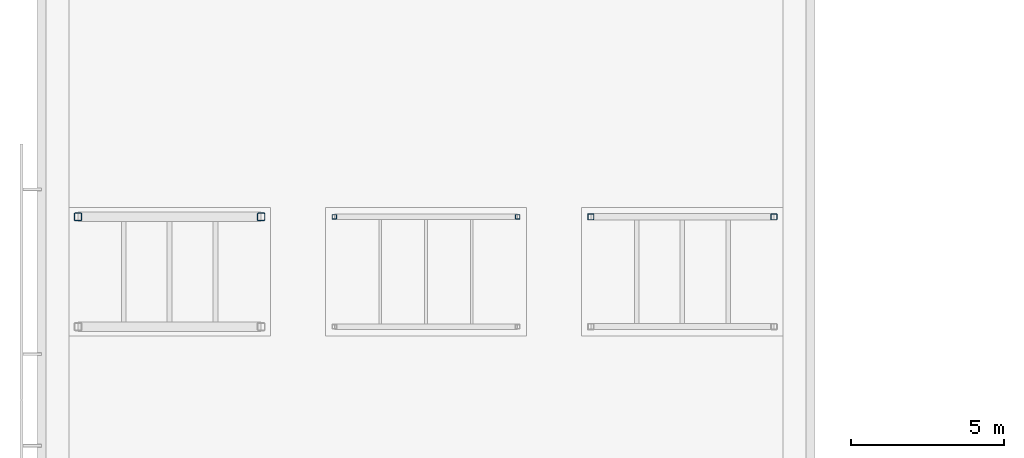
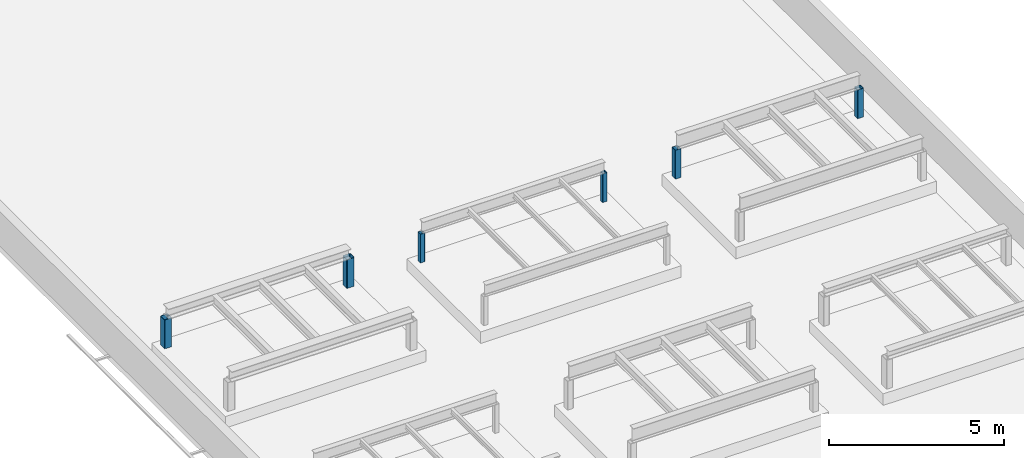
# One storey, part 4 of 18: 6 columns.
"""IFC4 building model written with IfcOpenShell, lengths in metres."""

from ifc_helpers import new_model, si_unit, direction, frame, origin, origin_2d, place, context, subcontext, project, spatial, hollow_rectangle, extrude, material, material_profile, profile_set, type_object, element, save


model = new_model("IFC4")

# Units and contexts
model_context = context("Model", 3, precision=1e-05, world=origin(), true_north=direction((0.0, 1.0)))
body_context = subcontext(model_context, "Body", "Model", "MODEL_VIEW")
ifc_project = project(units=[si_unit("LENGTHUNIT", "METRE"), si_unit("AREAUNIT", "SQUARE_METRE"), si_unit("VOLUMEUNIT", "CUBIC_METRE"), si_unit("PLANEANGLEUNIT", "RADIAN"), si_unit("MASSUNIT", "GRAM", prefix="KILO")], contexts=[model_context])

# Site, building, storey
site_placement = place(None, origin())
site = spatial("IfcSite", under=ifc_project, at=site_placement, CompositionType="ELEMENT")
building_placement = place(site_placement, origin())
building = spatial("IfcBuilding", under=site, at=building_placement, Name="Yavir Park General Hospital", CompositionType="ELEMENT")
storey_placement = place(building_placement, frame((0.0, 0.0, 29.699951171875)))
storey = spatial("IfcBuildingStorey", under=building, at=storey_placement, Name="RF", CompositionType="ELEMENT", Elevation=29.699951171875)

# Columns
ifc_material_1 = material(Name="Steel S355", Category="steel")
ifc_material_profile_1 = material_profile(ifc_material_1, hollow_rectangle(XDim=0.14990234375, YDim=0.14990234375, WallThickness=0.008056640625, InnerFilletRadius=0.011962890625, OuterFilletRadius=0.01611328125, at=origin_2d()), Name="SHS150x150x8")
ifc_profile_set_1 = profile_set([ifc_material_profile_1], Name="Steel S355")
column_type_1 = type_object("IfcColumnType", Name="SHS 150x150x8 platform column", PredefinedType="COLUMN", material=ifc_profile_set_1)
for number, where, z_axis, x_axis, name in (
    (1, (9.60009765625, 98.39990234375, 0.400146484375), (0.0, 0.0, 1.0), (1.0, 0.0, 0.0), "C:PF:PP32M:2"),
    (2, (15.60009765625, 98.39990234375, 0.400146484375), (0.0, 0.0, 1.0), (1.0, 0.0, 0.0), "C:PF:PP32M:3"),
):
    element("IfcColumn", number, at=place(storey_placement, frame(where, z_axis=z_axis, x_axis=x_axis)), inside=storey, type_object=column_type_1, Name=name, PredefinedType="COLUMN", context=body_context, shape_type="SweptSolid", body=[
        extrude(hollow_rectangle(XDim=0.14990234375, YDim=0.14990234375, WallThickness=0.008056640625, InnerFilletRadius=0.011962890625, OuterFilletRadius=0.01611328125, at=origin_2d()), origin(), (0.0, 0.0, 1.0), 1.0),
    ])
ifc_material_2 = material(Name="Steel S355", Category="steel")
ifc_material_profile_2 = material_profile(ifc_material_2, hollow_rectangle(XDim=0.199951171875, YDim=0.199951171875, WallThickness=0.010009765625, InnerFilletRadius=0.014892578125, OuterFilletRadius=0.02001953125, at=origin_2d()), Name="SHS200x200x10")
ifc_profile_set_2 = profile_set([ifc_material_profile_2], Name="Steel S355")
column_type_2 = type_object("IfcColumnType", Name="SHS 200x200x10 platform column", PredefinedType="COLUMN", material=ifc_profile_set_2)
for number, where, z_axis, x_axis, name in (
    (3, (18.0, 98.39990234375, 0.400146484375), (0.0, 0.0, 1.0), (1.0, 0.0, 0.0), "C:PF:PP33M:2"),
    (4, (24.0, 98.39990234375, 0.400146484375), (0.0, 0.0, 1.0), (1.0, 0.0, 0.0), "C:PF:PP33M:3"),
):
    element("IfcColumn", number, at=place(storey_placement, frame(where, z_axis=z_axis, x_axis=x_axis)), inside=storey, type_object=column_type_2, Name=name, PredefinedType="COLUMN", context=body_context, shape_type="SweptSolid", body=[
        extrude(hollow_rectangle(XDim=0.199951171875, YDim=0.199951171875, WallThickness=0.010009765625, InnerFilletRadius=0.014892578125, OuterFilletRadius=0.02001953125, at=origin_2d()), origin(), (0.0, 0.0, 1.0), 1.0),
    ])
ifc_material_3 = material(Name="Steel S355", Category="steel")
ifc_material_profile_3 = material_profile(ifc_material_3, hollow_rectangle(XDim=0.25, YDim=0.25, WallThickness=0.012451171875, InnerFilletRadius=0.02490234375, OuterFilletRadius=0.03125, at=origin_2d()), Name="SHS250x250x12.5")
ifc_profile_set_3 = profile_set([ifc_material_profile_3], Name="Steel S355")
column_type_3 = type_object("IfcColumnType", Name="SHS 250x250x12.5 platform column", PredefinedType="COLUMN", material=ifc_profile_set_3)
for number, where, z_axis, x_axis, name in (
    (5, (1.199951171875, 98.39990234375, 0.400146484375), (0.0, 0.0, 1.0), (1.0, 0.0, 0.0), "C:PF:PP31M:2"),
    (6, (7.199951171875, 98.39990234375, 0.400146484375), (0.0, 0.0, 1.0), (1.0, 0.0, 0.0), "C:PF:PP31M:3"),
):
    element("IfcColumn", number, at=place(storey_placement, frame(where, z_axis=z_axis, x_axis=x_axis)), inside=storey, type_object=column_type_3, Name=name, PredefinedType="COLUMN", context=body_context, shape_type="SweptSolid", body=[
        extrude(hollow_rectangle(XDim=0.25, YDim=0.25, WallThickness=0.012451171875, InnerFilletRadius=0.02490234375, OuterFilletRadius=0.03125, at=origin_2d()), origin(), (0.0, 0.0, 1.0), 1.0),
    ])

save(model, "model.ifc")
